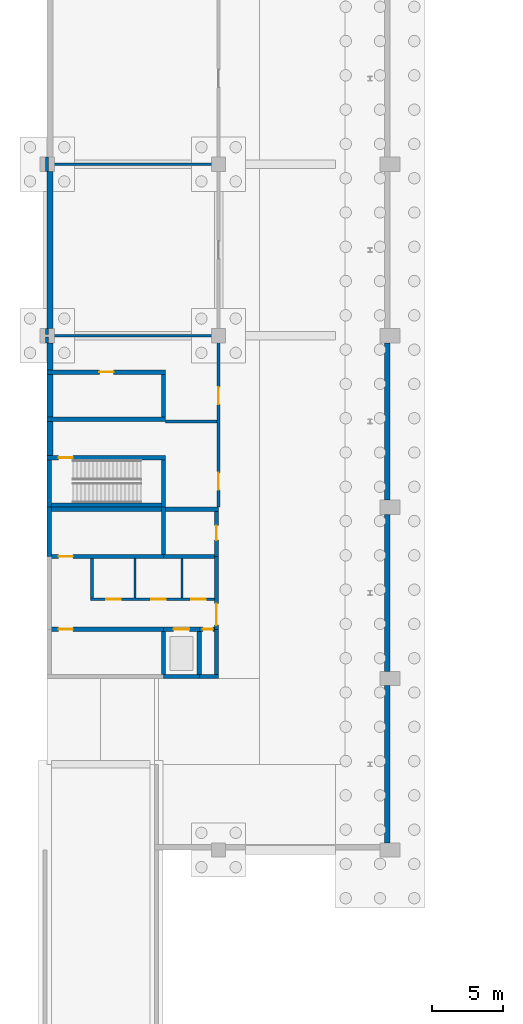
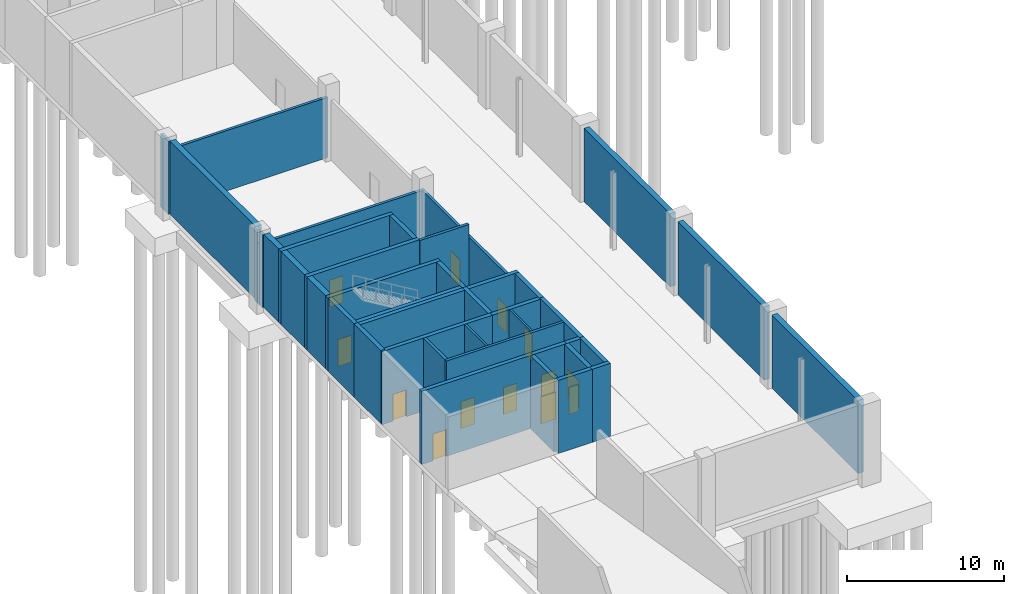
# One storey, part 16 of 34: 41 walls, 13 doors, 13 openings.
"""IFC4 building model written with IfcOpenShell, lengths in metres."""

from ifc_helpers import new_model, si_unit, direction, frame, frame_2d, origin, place, context, subcontext, project, spatial, rectangle, extrude, material, layer, layer_set, type_object, element, fill, save


model = new_model("IFC4")

# Units and contexts
model_context = context("Model", 3, precision=1e-05, world=origin(), true_north=direction((0.0, 1.0)))
body_context = subcontext(model_context, "Body", "Model", "MODEL_VIEW")
ifc_project = project(units=[si_unit("LENGTHUNIT", "METRE"), si_unit("AREAUNIT", "SQUARE_METRE"), si_unit("VOLUMEUNIT", "CUBIC_METRE"), si_unit("PLANEANGLEUNIT", "RADIAN"), si_unit("MASSUNIT", "GRAM", prefix="KILO")], contexts=[model_context])

# Site, building, storey
site_placement = place(None, origin())
site = spatial("IfcSite", under=ifc_project, at=site_placement, CompositionType="ELEMENT")
building_placement = place(site_placement, origin())
building = spatial("IfcBuilding", under=site, at=building_placement, Name="Lilac Gate Convention Centre", CompositionType="ELEMENT")
storey_placement = place(building_placement, frame((0.0, 0.0, -6.0)))
storey = spatial("IfcBuildingStorey", under=building, at=storey_placement, Name="B1", CompositionType="ELEMENT", Elevation=-6.0)

# Walls
ifc_material_1 = material(Name="Concrete C35", Category="concrete")
ifc_layer_1 = layer(ifc_material_1, 0.39990234375)
ifc_layer_set_1 = layer_set([ifc_layer_1], Name="Concrete C35")
wall_type_1 = type_object("IfcWallType", Name="Basement wall 400 C35", PredefinedType="SOLIDWALL", material=ifc_layer_set_1)
for number, where, z_axis, x_axis, name in (
    (1, (29.800048828125, 30.5, 0.0), (0.0, 0.0, 1.0), (0.0, 1.0, 0.0), "SW2 basement wall 1 at 3/A"),
    (2, (29.800048828125, 42.5, 0.0), (0.0, 0.0, 1.0), (0.0, 1.0, 0.0), "SW2 basement wall 2 at 3/A"),
    (3, (29.800048828125, 54.5, 0.0), (0.0, 0.0, 1.0), (0.0, 1.0, 0.0), "SW2 basement wall 3 at 3/A"),
):
    element("IfcWall", number, at=place(storey_placement, frame(where, z_axis=z_axis, x_axis=x_axis)), inside=storey, type_object=wall_type_1, Name=name, PredefinedType="SOLIDWALL", context=body_context, shape_type="SweptSolid", body=[
        extrude(rectangle(XDim=11.0, YDim=0.39990234375, at=frame_2d((5.5, 0.0))), origin(), (0.0, 0.0, 1.0), 5.699951171875),
    ])
wall_1_placement = place(storey_placement, frame((6.199951171875, 57.60009765625, 0.0), z_axis=(0.0, 0.0, 1.0), x_axis=(0.0, 1.0, 0.0)))
element("IfcWall", 4, at=wall_1_placement, inside=storey, type_object=wall_type_1, Name="SW2 basement wall 3 at 1/A", PredefinedType="SOLIDWALL", context=body_context, shape_type="SweptSolid", body=[
    extrude(rectangle(XDim=2.39990234375, YDim=0.39990234375, at=frame_2d((1.199951171875, 0.0))), origin(), (0.0, 0.0, 1.0), 5.699951171875),
])
wall_2_placement = place(storey_placement, frame((6.199951171875, 60.300048828125, 0.0), z_axis=(0.0, 0.0, 1.0), x_axis=(0.0, 1.0, 0.0)))
element("IfcWall", 5, at=wall_2_placement, inside=storey, type_object=wall_type_1, Name="SW2 basement wall 4 at 1/A", PredefinedType="SOLIDWALL", context=body_context, shape_type="SweptSolid", body=[
    extrude(rectangle(XDim=3.0, YDim=0.39990234375, at=frame_2d((1.5, 0.0))), origin(), (0.0, 0.0, 1.0), 5.699951171875),
])
wall_3_placement = place(storey_placement, frame((6.199951171875, 63.60009765625, 0.0), z_axis=(0.0, 0.0, 1.0), x_axis=(0.0, 1.0, 0.0)))
element("IfcWall", 6, at=wall_3_placement, inside=storey, type_object=wall_type_1, Name="SW2 basement wall 5 at 1/A", PredefinedType="SOLIDWALL", context=body_context, shape_type="SweptSolid", body=[
    extrude(rectangle(XDim=1.89990234375, YDim=0.39990234375, at=frame_2d((0.949951171875, 0.0))), origin(), (0.0, 0.0, 1.0), 5.699951171875),
])
wall_4_placement = place(storey_placement, frame((6.199951171875, 66.5, 0.0), z_axis=(0.0, 0.0, 1.0), x_axis=(0.0, 1.0, 0.0)))
element("IfcWall", 7, at=wall_4_placement, inside=storey, type_object=wall_type_1, Name="SW2 basement wall 6 at 1/A", PredefinedType="SOLIDWALL", context=body_context, shape_type="SweptSolid", body=[
    extrude(rectangle(XDim=11.0, YDim=0.39990234375, at=frame_2d((5.5, 0.0))), origin(), (0.0, 0.0, 1.0), 5.699951171875),
])
ifc_material_2 = material(Name="Fire-rated gypsum board on steel stud", Category="steel")
ifc_layer_2 = layer(ifc_material_2, 0.14990234375)
ifc_layer_set_2 = layer_set([ifc_layer_2], Name="Fire-rated gypsum board on steel stud")
wall_type_2 = type_object("IfcWallType", Name="Partition 150 fire-rated gypsum board EI 60", PredefinedType="PARTITIONING", material=ifc_layer_set_2)
for number, where, z_axis, x_axis, name in (
    (8, (12.14990234375, 47.64990234375, 0.0), (0.0, 0.0, 1.0), (0.0, 1.0, 0.0), "Partition 150 fire-rated gypsum board EI 60"),
    (9, (15.449951171875, 47.64990234375, 0.0), (0.0, 0.0, 1.0), (0.0, 1.0, 0.0), "Partition 150 fire-rated gypsum board EI 60"),
):
    element("IfcWall", number, at=place(storey_placement, frame(where, z_axis=z_axis, x_axis=x_axis)), inside=storey, type_object=wall_type_2, Name=name, PredefinedType="PARTITIONING", context=body_context, shape_type="SweptSolid", body=[
        extrude(rectangle(XDim=2.75, YDim=0.14990234375, at=frame_2d((1.375, 0.0))), origin(), (0.0, 0.0, 1.0), 5.699951171875),
    ])
ifc_material_3 = material(Name="Clay brick masonry", Category="masonry")
ifc_layer_3 = layer(ifc_material_3, 0.199951171875)
ifc_layer_set_3 = layer_set([ifc_layer_3], Name="Clay brick masonry")
wall_type_3 = type_object("IfcWallType", Name="Partition 200 brick EI 120", PredefinedType="PARTITIONING", material=ifc_layer_set_3)
wall_5_placement = place(storey_placement, frame((5.89990234375, 66.0, 0.0), z_axis=(0.0, 0.0, 1.0), x_axis=(1.0, 0.0, 0.0)))
element("IfcWall", 10, at=wall_5_placement, inside=storey, type_object=wall_type_3, Name="Partition 200 brick EI 120", PredefinedType="PARTITIONING", context=body_context, shape_type="SweptSolid", body=[
    extrude(rectangle(XDim=12.2001953125, YDim=0.199951171875, at=frame_2d((6.10009765625, 0.0))), origin(), (0.0, 0.0, 1.0), 4.699951171875),
])
wall_6_placement = place(storey_placement, frame((6.10009765625, 78.0, 0.0), z_axis=(0.0, 0.0, 1.0), x_axis=(1.0, 0.0, 0.0)))
element("IfcWall", 11, at=wall_6_placement, inside=storey, type_object=wall_type_3, Name="Partition 200 brick EI 120", PredefinedType="PARTITIONING", context=body_context, shape_type="SweptSolid", body=[
    extrude(rectangle(XDim=11.7998046875, YDim=0.199951171875, at=frame_2d((5.89990234375, 0.0))), origin(), (0.0, 0.0, 1.0), 4.699951171875),
])
wall_7_placement = place(storey_placement, frame((6.0, 66.10009765625, 0.0), z_axis=(0.0, 0.0, 1.0), x_axis=(0.0, 1.0, 0.0)))
element("IfcWall", 12, at=wall_7_placement, inside=storey, type_object=wall_type_3, Name="Partition 200 brick EI 120", PredefinedType="PARTITIONING", context=body_context, shape_type="SweptSolid", body=[
    extrude(rectangle(XDim=0.39990234375, YDim=0.199951171875, at=frame_2d((0.199951171875, 0.0))), origin(), (0.0, 0.0, 1.0), 5.699951171875),
])
wall_8_placement = place(storey_placement, frame((6.0, 77.5, 0.0), z_axis=(0.0, 0.0, 1.0), x_axis=(0.0, 1.0, 0.0)))
element("IfcWall", 13, at=wall_8_placement, inside=storey, type_object=wall_type_3, Name="Partition 200 brick EI 120", PredefinedType="PARTITIONING", context=body_context, shape_type="SweptSolid", body=[
    extrude(rectangle(XDim=1.0, YDim=0.199951171875, at=frame_2d((0.5, 0.0))), origin(), (0.0, 0.0, 1.0), 5.699951171875),
])

# Wall, openings, doors
ifc_layer_4 = layer(ifc_material_3, 0.199951171875)
ifc_layer_set_4 = layer_set([ifc_layer_4], Name="Clay brick masonry")
wall_type_4 = type_object("IfcWallType", Name="Partition 200 brick EI 60", PredefinedType="PARTITIONING", material=ifc_layer_set_4)
wall_9_placement = place(storey_placement, frame((9.050048828125, 47.550048828125, 0.0), z_axis=(0.0, 0.0, 1.0), x_axis=(1.0, 0.0, 0.0)))
wall_9 = element("IfcWall", 14, at=wall_9_placement, inside=storey, type_object=wall_type_4, Name="Partition 200 brick EI 60", PredefinedType="PARTITIONING", context=body_context, shape_type="SweptSolid", body=[
    extrude(rectangle(XDim=8.64990234375, YDim=0.199951171875, at=frame_2d((4.324951171875, 0.0))), origin(), (0.0, 0.0, 1.0), 5.699951171875),
])
opening_1_placement = place(wall_9_placement, frame((1.10009765625, 0.0, 0.0)))
opening_1 = element("IfcOpeningElement", 15, at=opening_1_placement, cuts=wall_9, Name="Opening B1-004", PredefinedType="OPENING", context=body_context, shape_type="SweptSolid", body=[
    extrude(rectangle(XDim=1.0, YDim=2.10009765625, at=frame_2d((0.5, 1.050048828125))), frame((0.0, 0.10986328125, 0.0), z_axis=(0.0, -1.0, 0.0), x_axis=(1.0, 0.0, 0.0)), (0.0, 0.0, 1.0), 0.219970703125),
])
opening_2_placement = place(wall_9_placement, frame((4.25, 0.0, 0.0)))
opening_2 = element("IfcOpeningElement", 16, at=opening_2_placement, cuts=wall_9, Name="Opening B1-005", PredefinedType="OPENING", context=body_context, shape_type="SweptSolid", body=[
    extrude(rectangle(XDim=1.0, YDim=2.10009765625, at=frame_2d((0.5, 1.050048828125))), frame((0.0, 0.10986328125, 0.0), z_axis=(0.0, -1.0, 0.0), x_axis=(1.0, 0.0, 0.0)), (0.0, 0.0, 1.0), 0.219970703125),
])
opening_3_placement = place(wall_9_placement, frame((7.050048828125, 0.0, 0.0)))
opening_3 = element("IfcOpeningElement", 17, at=opening_3_placement, cuts=wall_9, Name="Opening B1-006", PredefinedType="OPENING", context=body_context, shape_type="SweptSolid", body=[
    extrude(rectangle(XDim=1.0, YDim=2.10009765625, at=frame_2d((0.5, 1.050048828125))), frame((0.0, 0.10986328125, 0.0), z_axis=(0.0, -1.0, 0.0), x_axis=(1.0, 0.0, 0.0)), (0.0, 0.0, 1.0), 0.219970703125),
])
ifc_material_4 = material(Name="Timber fire door leaf", Category="wood")
door_type_1 = type_object("IfcDoorType", Name="Door 1000 x 2100 single leaf FD30", OperationType="SINGLE_SWING_LEFT", PredefinedType="DOOR", material=ifc_material_4)
door_1_placement = place(opening_1_placement, origin())
door_1 = element("IfcDoor", 18, at=door_1_placement, inside=storey, type_object=door_type_1, Name="WC door B1-004", OperationType="SINGLE_SWING_RIGHT", OverallHeight=2.10009765625, OverallWidth=1.0, PredefinedType="DOOR", context=body_context, shape_type="SweptSolid", body=[
    extrude(rectangle(XDim=1.0, YDim=2.10009765625, at=frame_2d((0.5, 1.050048828125))), frame((0.0, 0.02490234375, 0.0), z_axis=(0.0, -1.0, 0.0), x_axis=(1.0, 0.0, 0.0)), (0.0, 0.0, 1.0), 0.050048828125),
])
fill(opening_1, door_1)
door_2_placement = place(opening_2_placement, origin())
door_2 = element("IfcDoor", 19, at=door_2_placement, inside=storey, type_object=door_type_1, Name="WC door B1-005", OperationType="SINGLE_SWING_LEFT", OverallHeight=2.10009765625, OverallWidth=1.0, PredefinedType="DOOR", context=body_context, shape_type="SweptSolid", body=[
    extrude(rectangle(XDim=1.0, YDim=2.10009765625, at=frame_2d((0.5, 1.050048828125))), frame((0.0, 0.02490234375, 0.0), z_axis=(0.0, -1.0, 0.0), x_axis=(1.0, 0.0, 0.0)), (0.0, 0.0, 1.0), 0.050048828125),
])
fill(opening_2, door_2)
door_3_placement = place(opening_3_placement, origin())
door_3 = element("IfcDoor", 20, at=door_3_placement, inside=storey, type_object=door_type_1, Name="Accessible WC door B1-006", OperationType="SINGLE_SWING_LEFT", OverallHeight=2.10009765625, OverallWidth=1.0, PredefinedType="DOOR", context=body_context, shape_type="SweptSolid", body=[
    extrude(rectangle(XDim=1.0, YDim=2.10009765625, at=frame_2d((0.5, 1.050048828125))), frame((0.0, 0.02490234375, 0.0), z_axis=(0.0, -1.0, 0.0), x_axis=(1.0, 0.0, 0.0)), (0.0, 0.0, 1.0), 0.050048828125),
])
fill(opening_3, door_3)

# Walls
wall_10_placement = place(storey_placement, frame((14.300048828125, 60.0, 0.0), z_axis=(0.0, 0.0, 1.0), x_axis=(1.0, 0.0, 0.0)))
element("IfcWall", 21, at=wall_10_placement, inside=storey, type_object=wall_type_4, Name="Partition 200 brick EI 60", PredefinedType="PARTITIONING", context=body_context, shape_type="SweptSolid", body=[
    extrude(rectangle(XDim=3.599853515625, YDim=0.199951171875, at=frame_2d((1.7998046875, 0.0))), origin(), (0.0, 0.0, 1.0), 5.699951171875),
])
wall_11_placement = place(storey_placement, frame((6.0, 65.5, 0.0), z_axis=(0.0, 0.0, 1.0), x_axis=(0.0, 1.0, 0.0)))
element("IfcWall", 22, at=wall_11_placement, inside=storey, type_object=wall_type_4, Name="Partition 200 brick EI 60", PredefinedType="PARTITIONING", context=body_context, shape_type="SweptSolid", body=[
    extrude(rectangle(XDim=0.39990234375, YDim=0.199951171875, at=frame_2d((0.199951171875, 0.0))), origin(), (0.0, 0.0, 1.0), 5.699951171875),
])
wall_12_placement = place(storey_placement, frame((9.14990234375, 47.64990234375, 0.0), z_axis=(0.0, 0.0, 1.0), x_axis=(0.0, 1.0, 0.0)))
element("IfcWall", 23, at=wall_12_placement, inside=storey, type_object=wall_type_4, Name="Partition 200 brick EI 60", PredefinedType="PARTITIONING", context=body_context, shape_type="SweptSolid", body=[
    extrude(rectangle(XDim=2.75, YDim=0.199951171875, at=frame_2d((1.375, 0.0))), origin(), (0.0, 0.0, 1.0), 5.699951171875),
])

# Wall, openings, doors
wall_13_placement = place(storey_placement, frame((18.0, 54.0, 0.0), z_axis=(0.0, 0.0, 1.0), x_axis=(0.0, 1.0, 0.0)))
wall_13 = element("IfcWall", 24, at=wall_13_placement, inside=storey, type_object=wall_type_4, Name="Partition 200 brick EI 60", PredefinedType="PARTITIONING", context=body_context, shape_type="SweptSolid", body=[
    extrude(rectangle(XDim=11.89990234375, YDim=0.199951171875, at=frame_2d((5.949951171875, 0.0))), origin(), (0.0, 0.0, 1.0), 4.699951171875),
])
opening_4_placement = place(wall_13_placement, frame((1.199951171875, 0.0, 0.0)))
opening_4 = element("IfcOpeningElement", 25, at=opening_4_placement, cuts=wall_13, Name="Opening B1-009", PredefinedType="OPENING", context=body_context, shape_type="SweptSolid", body=[
    extrude(rectangle(XDim=1.199951171875, YDim=2.10009765625, at=frame_2d((0.60009765625, 1.050048828125))), frame((0.0, 0.10986328125, 0.0), z_axis=(0.0, -1.0, 0.0), x_axis=(1.0, 0.0, 0.0)), (0.0, 0.0, 1.0), 0.219970703125),
])
opening_5_placement = place(wall_13_placement, frame((7.199951171875, 0.0, 0.0)))
opening_5 = element("IfcOpeningElement", 26, at=opening_5_placement, cuts=wall_13, Name="Opening B1-011", PredefinedType="OPENING", context=body_context, shape_type="SweptSolid", body=[
    extrude(rectangle(XDim=1.199951171875, YDim=2.10009765625, at=frame_2d((0.60009765625, 1.050048828125))), frame((0.0, 0.10986328125, 0.0), z_axis=(0.0, -1.0, 0.0), x_axis=(1.0, 0.0, 0.0)), (0.0, 0.0, 1.0), 0.219970703125),
])
door_type_2 = type_object("IfcDoorType", Name="Door 1200 x 2100 single leaf FD60", OperationType="SINGLE_SWING_LEFT", PredefinedType="DOOR", material=ifc_material_4)
door_4_placement = place(opening_4_placement, origin())
door_4 = element("IfcDoor", 27, at=door_4_placement, inside=storey, type_object=door_type_2, Name="Lobby door B1-009", OperationType="SINGLE_SWING_RIGHT", OverallHeight=2.10009765625, OverallWidth=1.199951171875, PredefinedType="DOOR", context=body_context, shape_type="SweptSolid", body=[
    extrude(rectangle(XDim=1.199951171875, YDim=2.10009765625, at=frame_2d((0.60009765625, 1.050048828125))), frame((0.0, 0.02490234375, 0.0), z_axis=(0.0, -1.0, 0.0), x_axis=(1.0, 0.0, 0.0)), (0.0, 0.0, 1.0), 0.050048828125),
])
fill(opening_4, door_4)
ifc_material_5 = material(Name="Steel Q235B", Category="steel")
door_type_3 = type_object("IfcDoorType", Name="Door 1200 x 2100 single leaf FD90", OperationType="SINGLE_SWING_LEFT", PredefinedType="DOOR", material=ifc_material_5)
door_5_placement = place(opening_5_placement, origin())
door_5 = element("IfcDoor", 28, at=door_5_placement, inside=storey, type_object=door_type_3, Name="Lobby door B1-011", OperationType="SINGLE_SWING_RIGHT", OverallHeight=2.10009765625, OverallWidth=1.199951171875, PredefinedType="DOOR", context=body_context, shape_type="SweptSolid", body=[
    extrude(rectangle(XDim=1.199951171875, YDim=2.10009765625, at=frame_2d((0.60009765625, 1.050048828125))), frame((0.0, 0.02490234375, 0.0), z_axis=(0.0, -1.0, 0.0), x_axis=(1.0, 0.0, 0.0)), (0.0, 0.0, 1.0), 0.050048828125),
])
fill(opening_5, door_5)

# Wall
ifc_material_6 = material(Name="Concrete C40", Category="concrete")
ifc_layer_5 = layer(ifc_material_6, 0.300048828125)
ifc_layer_set_5 = layer_set([ifc_layer_5], Name="Concrete C40")
wall_type_5 = type_object("IfcWallType", Name="Shear wall 300 C40", PredefinedType="SHEAR", material=ifc_layer_set_5)
wall_14_placement = place(storey_placement, frame((6.0, 54.14990234375, 0.0), z_axis=(0.0, 0.0, 1.0), x_axis=(1.0, 0.0, 0.0)))
element("IfcWall", 29, at=wall_14_placement, inside=storey, type_object=wall_type_5, Name="SW1 shear wall BW1 B1 1", PredefinedType="SHEAR", context=body_context, shape_type="SweptSolid", body=[
    extrude(rectangle(XDim=8.300048828125, YDim=0.300048828125, at=frame_2d((4.14990234375, 0.0))), origin(), (0.0, 0.0, 1.0), 5.699951171875),
])

# Wall, opening, door
wall_15_placement = place(storey_placement, frame((6.0, 57.449951171875, 0.0), z_axis=(0.0, 0.0, 1.0), x_axis=(1.0, 0.0, 0.0)))
wall_15 = element("IfcWall", 30, at=wall_15_placement, inside=storey, type_object=wall_type_5, Name="SW1 shear wall BW1 B1 2", PredefinedType="SHEAR", context=body_context, shape_type="SweptSolid", body=[
    extrude(rectangle(XDim=8.300048828125, YDim=0.300048828125, at=frame_2d((4.14990234375, 0.0))), origin(), (0.0, 0.0, 1.0), 5.699951171875),
])
opening_6_placement = place(wall_15_placement, frame((0.800048828125, 0.0, 0.0)))
opening_6 = element("IfcOpeningElement", 31, at=opening_6_placement, cuts=wall_15, Name="Opening B1-010", PredefinedType="OPENING", context=body_context, shape_type="SweptSolid", body=[
    extrude(rectangle(XDim=1.0, YDim=2.10009765625, at=frame_2d((0.5, 1.050048828125))), frame((0.0, 0.159912109375, 0.0), z_axis=(0.0, -1.0, 0.0), x_axis=(1.0, 0.0, 0.0)), (0.0, 0.0, 1.0), 0.320068359375),
])
door_type_4 = type_object("IfcDoorType", Name="Door 1000 x 2100 single leaf FD60", OperationType="SINGLE_SWING_LEFT", PredefinedType="DOOR", material=ifc_material_4)
door_6_placement = place(opening_6_placement, frame((1.0, 0.0, 0.0), z_axis=(0.0, 0.0, 1.0), x_axis=(-1.0, 0.0, 0.0)))
door_6 = element("IfcDoor", 32, at=door_6_placement, inside=storey, type_object=door_type_4, Name="Stair door B1-010", OperationType="SINGLE_SWING_LEFT", OverallHeight=2.10009765625, OverallWidth=1.0, PredefinedType="DOOR", context=body_context, shape_type="SweptSolid", body=[
    extrude(rectangle(XDim=1.0, YDim=2.10009765625, at=frame_2d((0.5, 1.050048828125))), frame((0.0, 0.02490234375, 0.0), z_axis=(0.0, -1.0, 0.0), x_axis=(1.0, 0.0, 0.0)), (0.0, 0.0, 1.0), 0.050048828125),
])
fill(opening_6, door_6)

# Walls
for number, where, z_axis, x_axis, name in (
    (33, (6.14990234375, 54.0, 0.0), (0.0, 0.0, 1.0), (0.0, 1.0, 0.0), "SW1 shear wall BW1 B1 3"),
    (34, (14.14990234375, 54.0, 0.0), (0.0, 0.0, 1.0), (0.0, 1.0, 0.0), "SW1 shear wall BW1 B1 4"),
):
    element("IfcWall", number, at=place(storey_placement, frame(where, z_axis=z_axis, x_axis=x_axis)), inside=storey, type_object=wall_type_5, Name=name, PredefinedType="SHEAR", context=body_context, shape_type="SweptSolid", body=[
        extrude(rectangle(XDim=3.300048828125, YDim=0.300048828125, at=frame_2d((1.64990234375, 0.0))), origin(), (0.0, 0.0, 1.0), 5.699951171875),
    ])
wall_16_placement = place(storey_placement, frame((6.0, 60.14990234375, 0.0), z_axis=(0.0, 0.0, 1.0), x_axis=(1.0, 0.0, 0.0)))
element("IfcWall", 35, at=wall_16_placement, inside=storey, type_object=wall_type_5, Name="SW1 shear wall UW1 B1 1", PredefinedType="SHEAR", context=body_context, shape_type="SweptSolid", body=[
    extrude(rectangle(XDim=8.300048828125, YDim=0.300048828125, at=frame_2d((4.14990234375, 0.0))), origin(), (0.0, 0.0, 1.0), 5.699951171875),
])

# Wall, opening, door
wall_17_placement = place(storey_placement, frame((6.0, 63.449951171875, 0.0), z_axis=(0.0, 0.0, 1.0), x_axis=(1.0, 0.0, 0.0)))
wall_17 = element("IfcWall", 36, at=wall_17_placement, inside=storey, type_object=wall_type_5, Name="SW1 shear wall UW1 B1 2", PredefinedType="SHEAR", context=body_context, shape_type="SweptSolid", body=[
    extrude(rectangle(XDim=8.300048828125, YDim=0.300048828125, at=frame_2d((4.14990234375, 0.0))), origin(), (0.0, 0.0, 1.0), 5.699951171875),
])
opening_7_placement = place(wall_17_placement, frame((3.64990234375, 0.0, 0.0)))
opening_7 = element("IfcOpeningElement", 37, at=opening_7_placement, cuts=wall_17, Name="Opening B1-012", PredefinedType="OPENING", context=body_context, shape_type="SweptSolid", body=[
    extrude(rectangle(XDim=1.0, YDim=2.10009765625, at=frame_2d((0.5, 1.050048828125))), frame((0.0, 0.159912109375, 0.0), z_axis=(0.0, -1.0, 0.0), x_axis=(1.0, 0.0, 0.0)), (0.0, 0.0, 1.0), 0.320068359375),
])
door_type_5 = type_object("IfcDoorType", Name="Door 1000 x 2100 single leaf FD90", OperationType="SINGLE_SWING_LEFT", PredefinedType="DOOR", material=ifc_material_5)
door_7_placement = place(opening_7_placement, frame((1.0, 0.0, 0.0), z_axis=(0.0, 0.0, 1.0), x_axis=(-1.0, 0.0, 0.0)))
door_7 = element("IfcDoor", 38, at=door_7_placement, inside=storey, type_object=door_type_5, Name="Store door B1-012", OperationType="SINGLE_SWING_RIGHT", OverallHeight=2.10009765625, OverallWidth=1.0, PredefinedType="DOOR", context=body_context, shape_type="SweptSolid", body=[
    extrude(rectangle(XDim=1.0, YDim=2.10009765625, at=frame_2d((0.5, 1.050048828125))), frame((0.0, 0.02490234375, 0.0), z_axis=(0.0, -1.0, 0.0), x_axis=(1.0, 0.0, 0.0)), (0.0, 0.0, 1.0), 0.050048828125),
])
fill(opening_7, door_7)

# Walls
wall_18_placement = place(storey_placement, frame((14.14990234375, 60.300048828125, 0.0), z_axis=(0.0, 0.0, 1.0), x_axis=(0.0, 1.0, 0.0)))
element("IfcWall", 39, at=wall_18_placement, inside=storey, type_object=wall_type_5, Name="SW1 shear wall UW1 B1 3", PredefinedType="SHEAR", context=body_context, shape_type="SweptSolid", body=[
    extrude(rectangle(XDim=3.0, YDim=0.300048828125, at=frame_2d((1.5, 0.0))), origin(), (0.0, 0.0, 1.0), 5.699951171875),
])
wall_19_placement = place(storey_placement, frame((14.14990234375, 42.14990234375, 0.0), z_axis=(0.0, 0.0, 1.0), x_axis=(1.0, 0.0, 0.0)))
element("IfcWall", 40, at=wall_19_placement, inside=storey, type_object=wall_type_5, Name="SW1 shear wall W1 B1 2", PredefinedType="SHEAR", context=body_context, shape_type="SweptSolid", body=[
    extrude(rectangle(XDim=2.5, YDim=0.300048828125, at=frame_2d((1.25, 0.0))), origin(), (0.0, 0.0, 1.0), 5.699951171875),
])
wall_20_placement = place(storey_placement, frame((16.64990234375, 42.14990234375, 0.0), z_axis=(0.0, 0.0, 1.0), x_axis=(1.0, 0.0, 0.0)))
element("IfcWall", 41, at=wall_20_placement, inside=storey, type_object=wall_type_5, Name="SW1 shear wall W1 B1 3", PredefinedType="SHEAR", context=body_context, shape_type="SweptSolid", body=[
    extrude(rectangle(XDim=1.35009765625, YDim=0.300048828125, at=frame_2d((0.675048828125, 0.0))), origin(), (0.0, 0.0, 1.0), 5.699951171875),
])
wall_21_placement = place(storey_placement, frame((6.0, 53.85009765625, 0.0), z_axis=(0.0, 0.0, 1.0), x_axis=(1.0, 0.0, 0.0)))
element("IfcWall", 42, at=wall_21_placement, inside=storey, type_object=wall_type_5, Name="SW1 shear wall W1 B1 4", PredefinedType="SHEAR", context=body_context, shape_type="SweptSolid", body=[
    extrude(rectangle(XDim=8.14990234375, YDim=0.300048828125, at=frame_2d((4.074951171875, 0.0))), origin(), (0.0, 0.0, 1.0), 5.699951171875),
])
wall_22_placement = place(storey_placement, frame((14.14990234375, 53.85009765625, 0.0), z_axis=(0.0, 0.0, 1.0), x_axis=(1.0, 0.0, 0.0)))
element("IfcWall", 43, at=wall_22_placement, inside=storey, type_object=wall_type_5, Name="SW1 shear wall W1 B1 5", PredefinedType="SHEAR", context=body_context, shape_type="SweptSolid", body=[
    extrude(rectangle(XDim=3.85009765625, YDim=0.300048828125, at=frame_2d((1.925048828125, 0.0))), origin(), (0.0, 0.0, 1.0), 5.699951171875),
])

# Wall, opening, door
wall_23_placement = place(storey_placement, frame((6.0, 45.449951171875, 0.0), z_axis=(0.0, 0.0, 1.0), x_axis=(1.0, 0.0, 0.0)))
wall_23 = element("IfcWall", 44, at=wall_23_placement, inside=storey, type_object=wall_type_5, Name="SW1 shear wall W1 B1 6", PredefinedType="SHEAR", context=body_context, shape_type="SweptSolid", body=[
    extrude(rectangle(XDim=8.14990234375, YDim=0.300048828125, at=frame_2d((4.074951171875, 0.0))), origin(), (0.0, 0.0, 1.0), 5.699951171875),
])
opening_8_placement = place(wall_23_placement, frame((0.800048828125, 0.0, 0.0)))
opening_8 = element("IfcOpeningElement", 45, at=opening_8_placement, cuts=wall_23, Name="Opening B1-001", PredefinedType="OPENING", context=body_context, shape_type="SweptSolid", body=[
    extrude(rectangle(XDim=1.0, YDim=2.10009765625, at=frame_2d((0.5, 1.050048828125))), frame((0.0, 0.159912109375, 0.0), z_axis=(0.0, -1.0, 0.0), x_axis=(1.0, 0.0, 0.0)), (0.0, 0.0, 1.0), 0.320068359375),
])
door_8_placement = place(opening_8_placement, frame((1.0, 0.0, 0.0), z_axis=(0.0, 0.0, 1.0), x_axis=(-1.0, 0.0, 0.0)))
door_8 = element("IfcDoor", 46, at=door_8_placement, inside=storey, type_object=door_type_4, Name="Store door B1-001", OperationType="SINGLE_SWING_LEFT", OverallHeight=2.10009765625, OverallWidth=1.0, PredefinedType="DOOR", context=body_context, shape_type="SweptSolid", body=[
    extrude(rectangle(XDim=1.0, YDim=2.10009765625, at=frame_2d((0.5, 1.050048828125))), frame((0.0, 0.02490234375, 0.0), z_axis=(0.0, -1.0, 0.0), x_axis=(1.0, 0.0, 0.0)), (0.0, 0.0, 1.0), 0.050048828125),
])
fill(opening_8, door_8)

wall_24_placement = place(storey_placement, frame((14.14990234375, 45.449951171875, 0.0), z_axis=(0.0, 0.0, 1.0), x_axis=(1.0, 0.0, 0.0)))
wall_24 = element("IfcWall", 47, at=wall_24_placement, inside=storey, type_object=wall_type_5, Name="SW1 shear wall W1 B1 7", PredefinedType="SHEAR", context=body_context, shape_type="SweptSolid", body=[
    extrude(rectangle(XDim=2.5, YDim=0.300048828125, at=frame_2d((1.25, 0.0))), origin(), (0.0, 0.0, 1.0), 5.699951171875),
])
opening_9_placement = place(wall_24_placement, frame((0.699951171875, 0.0, 0.0)))
opening_9 = element("IfcOpeningElement", 48, at=opening_9_placement, cuts=wall_24, Name="Opening LDW1-B1", PredefinedType="OPENING", context=body_context, shape_type="SweptSolid", body=[
    extrude(rectangle(XDim=1.10009765625, YDim=2.10009765625, at=frame_2d((0.550048828125, 1.050048828125))), frame((0.0, 0.159912109375, 0.0), z_axis=(0.0, -1.0, 0.0), x_axis=(1.0, 0.0, 0.0)), (0.0, 0.0, 1.0), 0.320068359375),
])
ifc_material_7 = material(Name="Stainless steel 304", Category="steel")
door_type_6 = type_object("IfcDoorType", Name="Lift landing door 1100 x 2100", OperationType="SLIDING_TO_LEFT", PredefinedType="DOOR", material=ifc_material_7)
door_9_placement = place(opening_9_placement, origin())
door_9 = element("IfcDoor", 49, at=door_9_placement, inside=storey, type_object=door_type_6, Name="Lift landing door LDW1-B1", OperationType="SLIDING_TO_LEFT", OverallHeight=2.10009765625, OverallWidth=1.10009765625, PredefinedType="DOOR", context=body_context, shape_type="SweptSolid", body=[
    extrude(rectangle(XDim=1.10009765625, YDim=2.10009765625, at=frame_2d((0.550048828125, 1.050048828125))), frame((0.0, 0.02490234375, 0.0), z_axis=(0.0, -1.0, 0.0), x_axis=(1.0, 0.0, 0.0)), (0.0, 0.0, 1.0), 0.050048828125),
])
fill(opening_9, door_9)

wall_25_placement = place(storey_placement, frame((16.64990234375, 45.449951171875, 0.0), z_axis=(0.0, 0.0, 1.0), x_axis=(1.0, 0.0, 0.0)))
wall_25 = element("IfcWall", 50, at=wall_25_placement, inside=storey, type_object=wall_type_5, Name="SW1 shear wall W1 B1 8", PredefinedType="SHEAR", context=body_context, shape_type="SweptSolid", body=[
    extrude(rectangle(XDim=1.050048828125, YDim=0.300048828125, at=frame_2d((0.52490234375, 0.0))), origin(), (0.0, 0.0, 1.0), 5.699951171875),
])
opening_10_placement = place(wall_25_placement, frame((0.25, 0.0, 0.0)))
opening_10 = element("IfcOpeningElement", 51, at=opening_10_placement, cuts=wall_25, Name="Opening B1-002", PredefinedType="OPENING", context=body_context, shape_type="SweptSolid", body=[
    extrude(rectangle(XDim=0.699951171875, YDim=2.10009765625, at=frame_2d((0.35009765625, 1.050048828125))), frame((0.0, 0.159912109375, 0.0), z_axis=(0.0, -1.0, 0.0), x_axis=(1.0, 0.0, 0.0)), (0.0, 0.0, 1.0), 0.320068359375),
])
door_type_7 = type_object("IfcDoorType", Name="Door 700 x 2100 single leaf FD30", OperationType="SINGLE_SWING_LEFT", PredefinedType="DOOR", material=ifc_material_4)
door_10_placement = place(opening_10_placement, frame((0.699951171875, 0.0, 0.0), z_axis=(0.0, 0.0, 1.0), x_axis=(-1.0, 0.0, 0.0)))
door_10 = element("IfcDoor", 52, at=door_10_placement, inside=storey, type_object=door_type_7, Name="Riser access door B1-002", OperationType="SINGLE_SWING_LEFT", OverallHeight=2.10009765625, OverallWidth=0.699951171875, PredefinedType="DOOR", context=body_context, shape_type="SweptSolid", body=[
    extrude(rectangle(XDim=0.699951171875, YDim=2.10009765625, at=frame_2d((0.35009765625, 1.050048828125))), frame((0.0, 0.02490234375, 0.0), z_axis=(0.0, -1.0, 0.0), x_axis=(1.0, 0.0, 0.0)), (0.0, 0.0, 1.0), 0.050048828125),
])
fill(opening_10, door_10)

wall_26_placement = place(storey_placement, frame((6.0, 50.550048828125, 0.0), z_axis=(0.0, 0.0, 1.0), x_axis=(1.0, 0.0, 0.0)))
wall_26 = element("IfcWall", 53, at=wall_26_placement, inside=storey, type_object=wall_type_5, Name="SW1 shear wall W1 B1 9", PredefinedType="SHEAR", context=body_context, shape_type="SweptSolid", body=[
    extrude(rectangle(XDim=8.14990234375, YDim=0.300048828125, at=frame_2d((4.074951171875, 0.0))), origin(), (0.0, 0.0, 1.0), 5.699951171875),
])
opening_11_placement = place(wall_26_placement, frame((0.800048828125, 0.0, 0.0)))
opening_11 = element("IfcOpeningElement", 54, at=opening_11_placement, cuts=wall_26, Name="Opening B1-007", PredefinedType="OPENING", context=body_context, shape_type="SweptSolid", body=[
    extrude(rectangle(XDim=1.0, YDim=2.10009765625, at=frame_2d((0.5, 1.050048828125))), frame((0.0, 0.159912109375, 0.0), z_axis=(0.0, -1.0, 0.0), x_axis=(1.0, 0.0, 0.0)), (0.0, 0.0, 1.0), 0.320068359375),
])
door_11_placement = place(opening_11_placement, origin())
door_11 = element("IfcDoor", 55, at=door_11_placement, inside=storey, type_object=door_type_4, Name="Store door B1-007", OperationType="SINGLE_SWING_RIGHT", OverallHeight=2.10009765625, OverallWidth=1.0, PredefinedType="DOOR", context=body_context, shape_type="SweptSolid", body=[
    extrude(rectangle(XDim=1.0, YDim=2.10009765625, at=frame_2d((0.5, 1.050048828125))), frame((0.0, 0.02490234375, 0.0), z_axis=(0.0, -1.0, 0.0), x_axis=(1.0, 0.0, 0.0)), (0.0, 0.0, 1.0), 0.050048828125),
])
fill(opening_11, door_11)

# Walls
wall_27_placement = place(storey_placement, frame((14.14990234375, 50.550048828125, 0.0), z_axis=(0.0, 0.0, 1.0), x_axis=(1.0, 0.0, 0.0)))
element("IfcWall", 56, at=wall_27_placement, inside=storey, type_object=wall_type_5, Name="SW1 shear wall W1 B1 10", PredefinedType="SHEAR", context=body_context, shape_type="SweptSolid", body=[
    extrude(rectangle(XDim=3.550048828125, YDim=0.300048828125, at=frame_2d((1.77490234375, 0.0))), origin(), (0.0, 0.0, 1.0), 5.699951171875),
])
wall_28_placement = place(storey_placement, frame((6.14990234375, 50.550048828125, 0.0), z_axis=(0.0, 0.0, 1.0), x_axis=(0.0, 1.0, 0.0)))
element("IfcWall", 57, at=wall_28_placement, inside=storey, type_object=wall_type_5, Name="SW1 shear wall W1 B1 13", PredefinedType="SHEAR", context=body_context, shape_type="SweptSolid", body=[
    extrude(rectangle(XDim=3.449951171875, YDim=0.300048828125, at=frame_2d((1.72509765625, 0.0))), origin(), (0.0, 0.0, 1.0), 5.699951171875),
])
wall_29_placement = place(storey_placement, frame((17.85009765625, 42.300048828125, 0.0), z_axis=(0.0, 0.0, 1.0), x_axis=(0.0, 1.0, 0.0)))
element("IfcWall", 58, at=wall_29_placement, inside=storey, type_object=wall_type_5, Name="SW1 shear wall W1 B1 14", PredefinedType="SHEAR", context=body_context, shape_type="SweptSolid", body=[
    extrude(rectangle(XDim=3.14990234375, YDim=0.300048828125, at=frame_2d((1.574951171875, 0.0))), origin(), (0.0, 0.0, 1.0), 5.699951171875),
])

# Wall, opening, door
wall_30_placement = place(storey_placement, frame((17.85009765625, 45.449951171875, 0.0), z_axis=(0.0, 0.0, 1.0), x_axis=(0.0, 1.0, 0.0)))
wall_30 = element("IfcWall", 59, at=wall_30_placement, inside=storey, type_object=wall_type_5, Name="SW1 shear wall W1 B1 15", PredefinedType="SHEAR", context=body_context, shape_type="SweptSolid", body=[
    extrude(rectangle(XDim=5.10009765625, YDim=0.300048828125, at=frame_2d((2.550048828125, 0.0))), origin(), (0.0, 0.0, 1.0), 5.699951171875),
])
opening_12_placement = place(wall_30_placement, frame((0.300048828125, 0.0, 0.0)))
opening_12 = element("IfcOpeningElement", 60, at=opening_12_placement, cuts=wall_30, Name="Opening B1-003", PredefinedType="OPENING", context=body_context, shape_type="SweptSolid", body=[
    extrude(rectangle(XDim=1.5, YDim=2.10009765625, at=frame_2d((0.75, 1.050048828125))), frame((0.0, 0.159912109375, 0.0), z_axis=(0.0, -1.0, 0.0), x_axis=(1.0, 0.0, 0.0)), (0.0, 0.0, 1.0), 0.320068359375),
])
door_type_8 = type_object("IfcDoorType", Name="Door 1500 x 2100 double leaf FD30", OperationType="DOUBLE_DOOR_SINGLE_SWING", PredefinedType="DOOR", material=ifc_material_4)
door_12_placement = place(opening_12_placement, origin())
door_12 = element("IfcDoor", 61, at=door_12_placement, inside=storey, type_object=door_type_8, Name="Lobby door B1-003", OperationType="DOUBLE_DOOR_SINGLE_SWING", OverallHeight=2.10009765625, OverallWidth=1.5, PredefinedType="DOOR", context=body_context, shape_type="SweptSolid", body=[
    extrude(rectangle(XDim=1.5, YDim=2.10009765625, at=frame_2d((0.75, 1.050048828125))), frame((0.0, 0.02490234375, 0.0), z_axis=(0.0, -1.0, 0.0), x_axis=(1.0, 0.0, 0.0)), (0.0, 0.0, 1.0), 0.050048828125),
])
fill(opening_12, door_12)

wall_31_placement = place(storey_placement, frame((17.85009765625, 50.550048828125, 0.0), z_axis=(0.0, 0.0, 1.0), x_axis=(0.0, 1.0, 0.0)))
wall_31 = element("IfcWall", 62, at=wall_31_placement, inside=storey, type_object=wall_type_5, Name="SW1 shear wall W1 B1 16", PredefinedType="SHEAR", context=body_context, shape_type="SweptSolid", body=[
    extrude(rectangle(XDim=3.14990234375, YDim=0.300048828125, at=frame_2d((1.574951171875, 0.0))), origin(), (0.0, 0.0, 1.0), 5.699951171875),
])
opening_13_placement = place(wall_31_placement, frame((1.14990234375, 0.0, 0.0)))
opening_13 = element("IfcOpeningElement", 63, at=opening_13_placement, cuts=wall_31, Name="Opening B1-008", PredefinedType="OPENING", context=body_context, shape_type="SweptSolid", body=[
    extrude(rectangle(XDim=1.0, YDim=2.10009765625, at=frame_2d((0.5, 1.050048828125))), frame((0.0, 0.159912109375, 0.0), z_axis=(0.0, -1.0, 0.0), x_axis=(1.0, 0.0, 0.0)), (0.0, 0.0, 1.0), 0.320068359375),
])
door_13_placement = place(opening_13_placement, origin())
door_13 = element("IfcDoor", 64, at=door_13_placement, inside=storey, type_object=door_type_1, Name="Riser access door B1-008", OperationType="SINGLE_SWING_RIGHT", OverallHeight=2.10009765625, OverallWidth=1.0, PredefinedType="DOOR", context=body_context, shape_type="SweptSolid", body=[
    extrude(rectangle(XDim=1.0, YDim=2.10009765625, at=frame_2d((0.5, 1.050048828125))), frame((0.0, 0.02490234375, 0.0), z_axis=(0.0, -1.0, 0.0), x_axis=(1.0, 0.0, 0.0)), (0.0, 0.0, 1.0), 0.050048828125),
])
fill(opening_13, door_13)

# Walls
wall_32_placement = place(storey_placement, frame((14.14990234375, 42.300048828125, 0.0), z_axis=(0.0, 0.0, 1.0), x_axis=(0.0, 1.0, 0.0)))
element("IfcWall", 65, at=wall_32_placement, inside=storey, type_object=wall_type_5, Name="SW1 shear wall W1 B1 17", PredefinedType="SHEAR", context=body_context, shape_type="SweptSolid", body=[
    extrude(rectangle(XDim=3.0, YDim=0.300048828125, at=frame_2d((1.5, 0.0))), origin(), (0.0, 0.0, 1.0), 5.699951171875),
])
wall_33_placement = place(storey_placement, frame((14.14990234375, 50.699951171875, 0.0), z_axis=(0.0, 0.0, 1.0), x_axis=(0.0, 1.0, 0.0)))
element("IfcWall", 66, at=wall_33_placement, inside=storey, type_object=wall_type_5, Name="SW1 shear wall W1 B1 18", PredefinedType="SHEAR", context=body_context, shape_type="SweptSolid", body=[
    extrude(rectangle(XDim=3.300048828125, YDim=0.300048828125, at=frame_2d((1.64990234375, 0.0))), origin(), (0.0, 0.0, 1.0), 5.699951171875),
])
wall_34_placement = place(storey_placement, frame((16.64990234375, 42.300048828125, 0.0), z_axis=(0.0, 0.0, 1.0), x_axis=(0.0, 1.0, 0.0)))
element("IfcWall", 67, at=wall_34_placement, inside=storey, type_object=wall_type_5, Name="SW1 shear wall W1 B1 19", PredefinedType="SHEAR", context=body_context, shape_type="SweptSolid", body=[
    extrude(rectangle(XDim=3.0, YDim=0.300048828125, at=frame_2d((1.5, 0.0))), origin(), (0.0, 0.0, 1.0), 5.699951171875),
])

save(model, "model.ifc")
